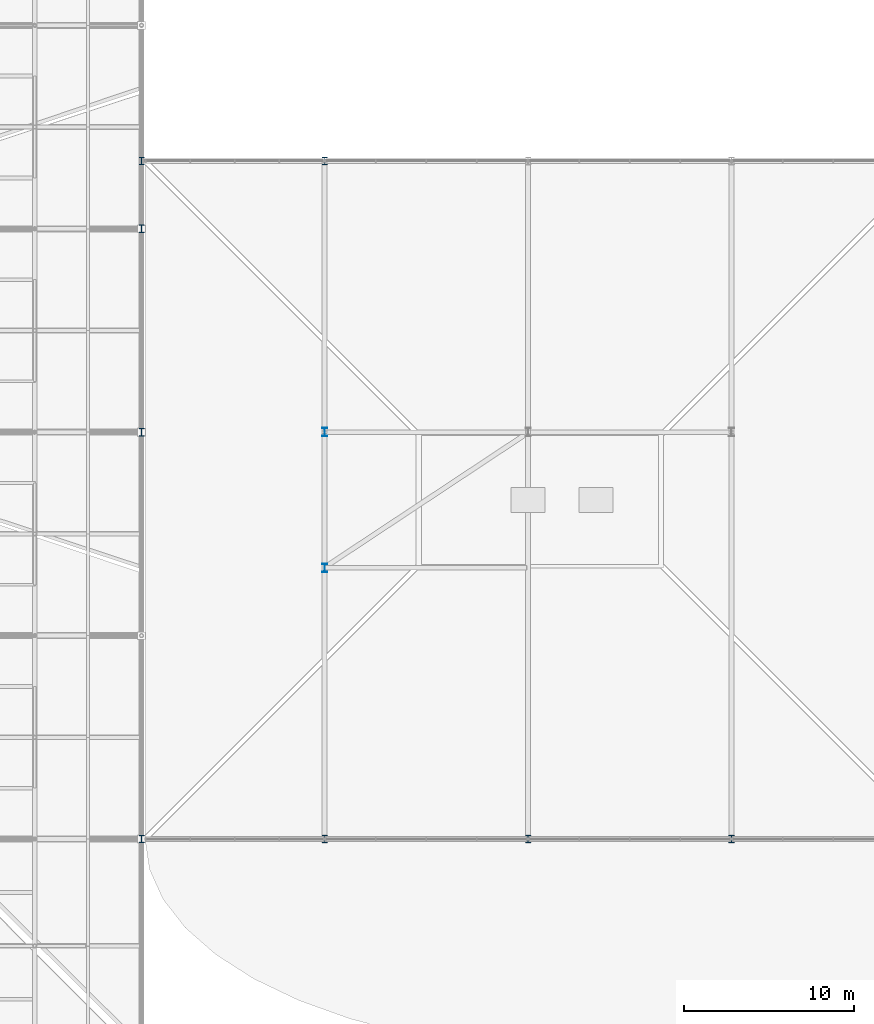
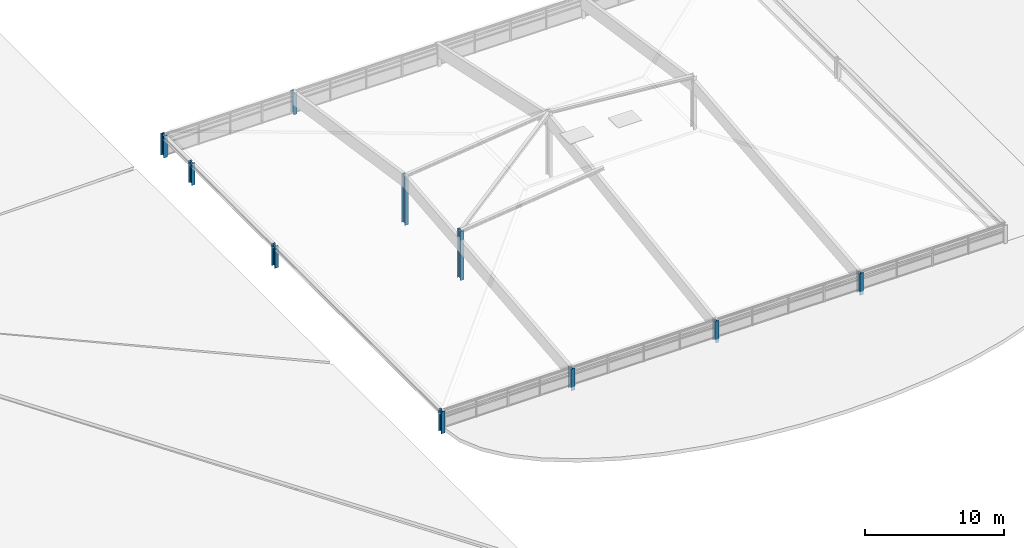
# One storey, part 1 of 80: 10 columns.
"""IFC4 building model written with IfcOpenShell, lengths in metres."""

from ifc_helpers import new_model, si_unit, direction, frame, origin, origin_2d, place, context, subcontext, project, spatial, i_section, extrude, material, material_profile, profile_set, type_object, element, save


model = new_model("IFC4")

# Units and contexts
model_context = context("Model", 3, precision=1e-05, world=origin(), true_north=direction((0.0, 1.0)))
body_context = subcontext(model_context, "Body", "Model", "MODEL_VIEW")
ifc_project = project(units=[si_unit("LENGTHUNIT", "METRE"), si_unit("AREAUNIT", "SQUARE_METRE"), si_unit("VOLUMEUNIT", "CUBIC_METRE"), si_unit("PLANEANGLEUNIT", "RADIAN"), si_unit("MASSUNIT", "GRAM", prefix="KILO"), si_unit("THERMODYNAMICTEMPERATUREUNIT", "KELVIN"), si_unit("POWERUNIT", "WATT")], contexts=[model_context])

# Site, building, storey
site_placement = place(None, origin())
site = spatial("IfcSite", under=ifc_project, at=site_placement, CompositionType="ELEMENT")
building_placement = place(site_placement, origin())
building = spatial("IfcBuilding", under=site, at=building_placement, Name="Solmara Park Aquatics Centre", CompositionType="ELEMENT")
storey_placement = place(building_placement, frame((0.0, 0.0, 22.800048828125)))
storey = spatial("IfcBuildingStorey", under=building, at=storey_placement, Name="RF", CompositionType="ELEMENT", Elevation=22.800048828125)

# Columns
ifc_material = material(Name="Structural Steel S355", Category="steel")
ifc_material_profile_1 = material_profile(ifc_material, i_section(OverallWidth=0.300048828125, OverallDepth=0.449951171875, WebThickness=0.013916015625, FlangeThickness=0.02587890625, FilletRadius=0.027099609375, at=origin_2d()), Name="HEB 450")
ifc_profile_set_1 = profile_set([ifc_material_profile_1], Name="Structural Steel S355")
column_type_1 = type_object("IfcColumnType", Name="STR-COL-HEB450", PredefinedType="COLUMN", material=ifc_profile_set_1)
for number, where, z_axis, x_axis, name in (
    (1, (109.199951171875, 12.60009765625, -8.400146484375), (0.0, 0.0, 1.0), (1.0, 0.0, 0.0), "Diving Clerestory Column 0608"),
    (2, (109.199951171875, 36.60009765625, -8.400146484375), (0.0, 0.0, 1.0), (1.0, 0.0, 0.0), "Diving Clerestory Column 0609"),
    (3, (109.199951171875, 48.60009765625, -8.400146484375), (0.0, 0.0, 1.0), (1.0, 0.0, 0.0), "Diving Clerestory Column 0610"),
    (4, (109.199951171875, 52.60009765625, -8.400146484375), (0.0, 0.0, 1.0), (1.0, 0.0, 0.0), "Diving Clerestory Column 0611"),
    (5, (120.0, 12.60009765625, -8.400146484375), (0.0, 0.0, 1.0), (1.0, 0.0, 0.0), "Diving Clerestory Column 0612"),
    (6, (120.0, 52.60009765625, -8.400146484375), (0.0, 0.0, 1.0), (1.0, 0.0, 0.0), "Diving Clerestory Column 0613"),
    (7, (132.0, 12.60009765625, -8.400146484375), (0.0, 0.0, 1.0), (1.0, 0.0, 0.0), "Diving Clerestory Column 0614"),
    (8, (144.0, 12.60009765625, -8.400146484375), (0.0, 0.0, 1.0), (1.0, 0.0, 0.0), "Diving Clerestory Column 0616"),
):
    element("IfcColumn", number, at=place(storey_placement, frame(where, z_axis=z_axis, x_axis=x_axis)), inside=storey, type_object=column_type_1, Name=name, PredefinedType="COLUMN", context=body_context, shape_type="SweptSolid", body=[
        extrude(i_section(OverallWidth=0.300048828125, OverallDepth=0.449951171875, WebThickness=0.013916015625, FlangeThickness=0.02587890625, FilletRadius=0.027099609375, at=origin_2d()), origin(), (0.0, 0.0, 1.0), 1.920166015625),
    ])
ifc_material_profile_2 = material_profile(ifc_material, i_section(OverallWidth=0.300048828125, OverallDepth=0.5, WebThickness=0.014404296875, FlangeThickness=0.028076171875, FilletRadius=0.027099609375, at=origin_2d()), Name="HEB 500")
ifc_profile_set_2 = profile_set([ifc_material_profile_2], Name="Structural Steel S355")
column_type_2 = type_object("IfcColumnType", Name="STR-COL-HEB500", PredefinedType="COLUMN", material=ifc_profile_set_2)
for number, where, z_axis, x_axis, name in (
    (9, (120.0, 36.60009765625, -8.400146484375), (0.0, 0.0, 1.0), (1.0, 0.0, 0.0), "Diving Crown Interior Column 0622"),
    (10, (120.0, 28.60009765625, -8.400146484375), (0.0, 0.0, 1.0), (1.0, 0.0, 0.0), "Diving Crown Interior Column 0625"),
):
    element("IfcColumn", number, at=place(storey_placement, frame(where, z_axis=z_axis, x_axis=x_axis)), inside=storey, type_object=column_type_2, Name=name, PredefinedType="COLUMN", context=body_context, shape_type="SweptSolid", body=[
        extrude(i_section(OverallWidth=0.300048828125, OverallDepth=0.5, WebThickness=0.014404296875, FlangeThickness=0.028076171875, FilletRadius=0.027099609375, at=origin_2d()), origin(), (0.0, 0.0, 1.0), 4.320068359375),
    ])

save(model, "model.ifc")
